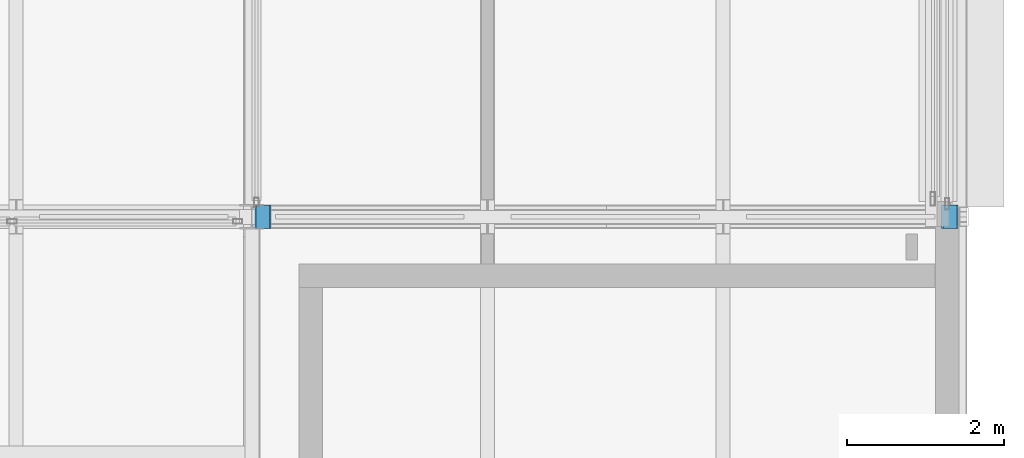
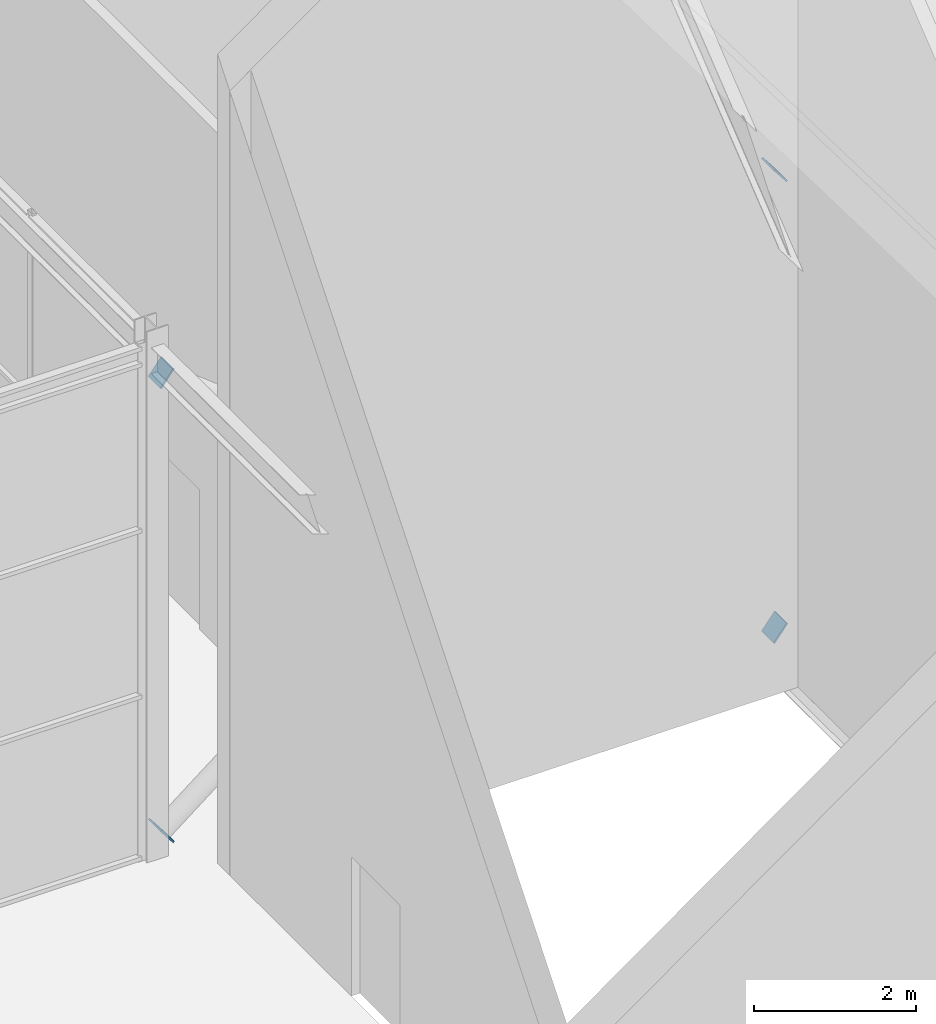
# One storey, part 136 of 144: 4 discrete accessories.
"""IFC4 building model written with IfcOpenShell, lengths in metres."""

from ifc_helpers import new_model, si_unit, direction, frame, origin, place, context, subcontext, project, spatial, polyline, outline, extrude, material, layer, layer_set, type_object, element, save


model = new_model("IFC4")

# Units and contexts
model_context = context("Model", 3, precision=1e-05, world=origin(), true_north=direction((0.0, 1.0)))
body_context = subcontext(model_context, "Body", "Model", "MODEL_VIEW")
ifc_project = project(units=[si_unit("LENGTHUNIT", "METRE"), si_unit("AREAUNIT", "SQUARE_METRE"), si_unit("VOLUMEUNIT", "CUBIC_METRE"), si_unit("PLANEANGLEUNIT", "RADIAN"), si_unit("MASSUNIT", "GRAM", prefix="KILO")], contexts=[model_context])

# Site, building, storey
site_placement = place(None, origin())
site = spatial("IfcSite", under=ifc_project, at=site_placement, CompositionType="ELEMENT")
building_placement = place(site_placement, origin())
building = spatial("IfcBuilding", under=site, at=building_placement, Name="Shorebreak Coast Museum", CompositionType="ELEMENT")
storey_placement = place(building_placement, frame((0.0, 0.0, 36.0)))
storey = spatial("IfcBuildingStorey", under=building, at=storey_placement, Name="L06", CompositionType="ELEMENT", Elevation=36.0)

# Discrete accessories
ifc_material = material(Name="Steel Grade 300", Category="steel")
ifc_layer = layer(ifc_material, 0.02490234375)
ifc_layer_set = layer_set([ifc_layer], Name="Steel Grade 300")
discrete_accessory_type = type_object("IfcDiscreteAccessoryType", Name="End plate 300 x 300 x 25", PredefinedType="BRACKET", material=ifc_layer_set)
for number, where, z_axis, x_axis, name in (
    (1, (108.246337890625, 62.85009765625, 0.18212890625), (0.785215906045, 0.0, 0.619222077202), (0.0, 1.0, 0.0), "End plate X-brace bay 02 L06 diagonal 1 end 1"),
    (2, (116.987548828125, 62.85009765625, 7.07861328125), (0.785215906045, 0.0, 0.619222077202), (0.0, 1.0, 0.0), "End plate X-brace bay 02 L06 diagonal 1 end 2"),
):
    element("IfcDiscreteAccessory", number, at=place(storey_placement, frame(where, z_axis=z_axis, x_axis=x_axis)), inside=storey, type_object=discrete_accessory_type, Name=name, PredefinedType="BRACKET", context=body_context, shape_type="SweptSolid", body=[
        extrude(outline(polyline([(0.0, 0.0), (0.2998046875, 0.0), (0.2998046875, 0.300039392110323), (0.0, 0.300039392110323), (0.0, 0.0)])), origin(), (0.0, 0.0, -1.0), 0.02490234375),
    ])
discrete_accessory_1_placement = place(storey_placement, frame((116.781982421875, 63.14990234375, 0.18212890625), z_axis=(-0.784820307898, 0.0, 0.619723393387), x_axis=(0.0, -1.0, 0.0)))
element("IfcDiscreteAccessory", 3, at=discrete_accessory_1_placement, inside=storey, type_object=discrete_accessory_type, Name="End plate X-brace bay 02 L06 diagonal 2 end 1", PredefinedType="BRACKET", context=body_context, shape_type="SweptSolid", body=[
    extrude(outline(polyline([(0.0, 0.0), (0.2998046875, 0.0), (0.2998046875, 0.3001906305865075), (0.0, 0.3001906305865075), (0.0, 0.0)])), origin(), (0.0, 0.0, -1.0), 0.02490234375),
])
discrete_accessory_2_placement = place(storey_placement, frame((108.041015625, 63.14990234375, 7.07861328125), z_axis=(-0.785215906045, 0.0, 0.619222077202), x_axis=(0.0, -1.0, 0.0)))
element("IfcDiscreteAccessory", 4, at=discrete_accessory_2_placement, inside=storey, type_object=discrete_accessory_type, Name="End plate X-brace bay 02 L06 diagonal 2 end 2", PredefinedType="BRACKET", context=body_context, shape_type="SweptSolid", body=[
    extrude(outline(polyline([(0.0, 0.0), (0.2998046875, 0.0), (0.2998046875, 0.300039392110323), (0.0, 0.300039392110323), (0.0, 0.0)])), origin(), (0.0, 0.0, -1.0), 0.02490234375),
])

save(model, "model.ifc")
